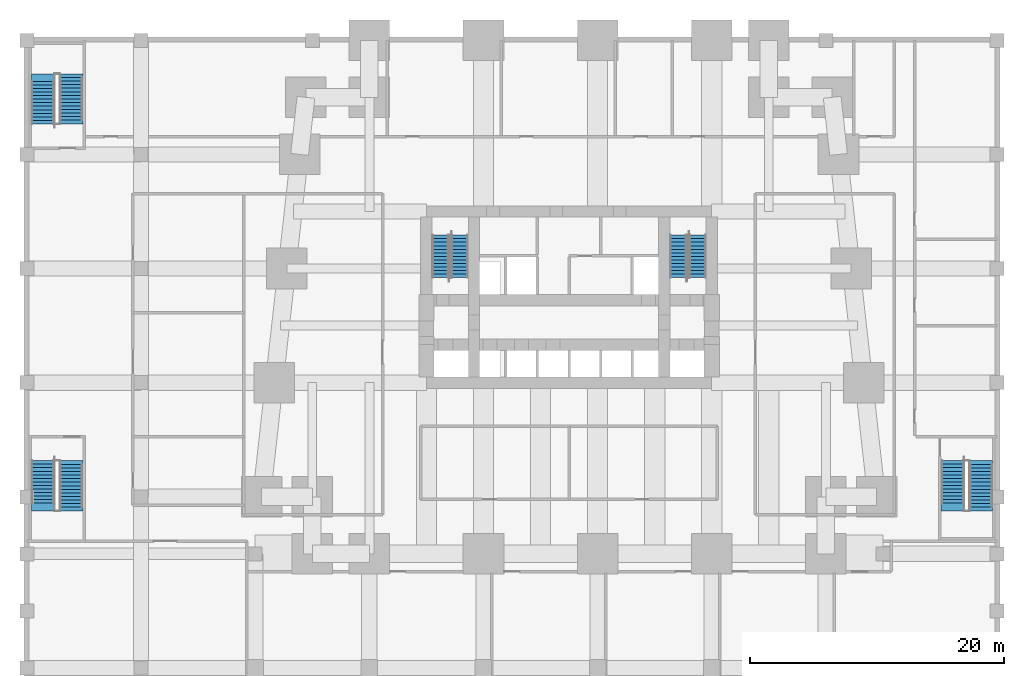
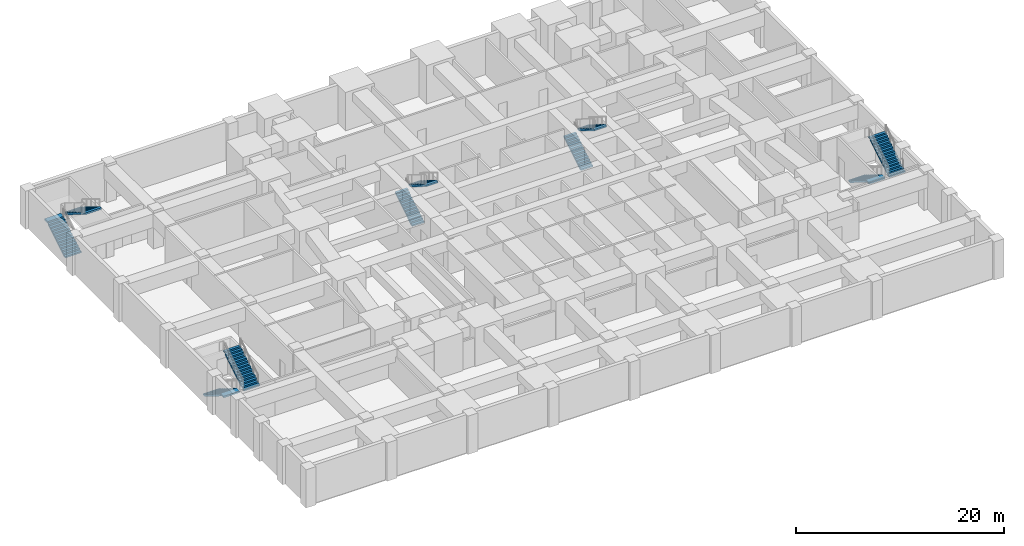
# One storey, part 6 of 8: 10 stair flights, 5 elements without a shape of their own.
"""IFC4 building model written with IfcOpenShell, lengths in metres."""

from ifc_helpers import new_model, si_unit, direction, frame, origin, place, context, subcontext, project, spatial, polyline, outline, extrude, material, type_object, element, aggregate, save


model = new_model("IFC4")

# Units and contexts
model_context = context("Model", 3, precision=1e-05, world=origin(), true_north=direction((0.0, 1.0)))
body_context = subcontext(model_context, "Body", "Model", "MODEL_VIEW")
ifc_project = project(units=[si_unit("LENGTHUNIT", "METRE"), si_unit("AREAUNIT", "SQUARE_METRE"), si_unit("VOLUMEUNIT", "CUBIC_METRE"), si_unit("PLANEANGLEUNIT", "RADIAN"), si_unit("MASSUNIT", "GRAM", prefix="KILO")], contexts=[model_context])

# Site, building, storey
site_placement = place(None, origin())
site = spatial("IfcSite", under=ifc_project, at=site_placement, CompositionType="ELEMENT")
building_placement = place(site_placement, origin())
building = spatial("IfcBuilding", under=site, at=building_placement, Name="Kilele Tower Hotel", CompositionType="ELEMENT")
storey_placement = place(building_placement, frame((0.0, 0.0, -4.5)))
storey = spatial("IfcBuildingStorey", under=building, at=storey_placement, Name="B1", CompositionType="ELEMENT", Elevation=-4.5)

# Stair, stair flights
ifc_material_1 = material(Name="Precast concrete C40/50", Category="concrete")
stair_type_1 = type_object("IfcStairType", Name="Stair 1325 x 4500", PredefinedType="HALF_TURN_STAIR", material=ifc_material_1)
stair_1_placement = place(storey_placement, origin())
stair_1 = element("IfcStair", 1, at=stair_1_placement, inside=storey, type_object=stair_type_1, Name="Stair 1 B1", PredefinedType="HALF_TURN_STAIR")
ifc_material_2 = material(Name="Precast concrete C40/50", Category="concrete")
stair_flight_type_1 = type_object("IfcStairFlightType", Name="Flight 1325 riser 173.1", PredefinedType="STRAIGHT", material=ifc_material_2)
stair_flight_1_placement = place(storey_placement, frame((14.612548828125, 21.77490234375, 0.0), z_axis=(0.0, 0.0, 1.0), x_axis=(0.0, 1.0, 0.0)))
stair_flight_1 = element("IfcStairFlight", 2, at=stair_flight_1_placement, type_object=stair_flight_type_1, Name="ST1 flight 1", NumberOfRisers=13, NumberOfTreads=12, PredefinedType="STRAIGHT", RiserHeight=0.173076923, TreadLength=0.28, context=body_context, shape_type="SweptSolid", body=[
    extrude(outline(polyline([(0.0, 0.0), (0.0, 0.173095703125), (0.280029296875, 0.173095703125), (0.280029296875, 0.34619140625), (0.56005859375, 0.34619140625), (0.56005859375, 0.519287109375), (0.840087890625, 0.519287109375), (0.840087890625, 0.6923828125), (1.1201171875, 0.6923828125), (1.1201171875, 0.865478515625), (1.39990234375, 0.865478515625), (1.39990234375, 1.03857421875), (1.679931640625, 1.03857421875), (1.679931640625, 1.21142578125), (1.9599609375, 1.21142578125), (1.9599609375, 1.384521484375), (2.239990234375, 1.384521484375), (2.239990234375, 1.5576171875), (2.52001953125, 1.5576171875), (2.52001953125, 1.730712890625), (2.800048828125, 1.730712890625), (2.800048828125, 1.90380859375), (3.080078125, 1.90380859375), (3.080078125, 2.076904296875), (3.360107421875, 2.076904296875), (3.360107421875, 2.25), (3.360107421875, 1.900634765625), (0.28515625, 0.0), (0.0, 0.0)])), frame((0.0, 0.66259765625, 0.0), z_axis=(0.0, -1.0, 0.0), x_axis=(1.0, 0.0, 0.0)), (0.0, 0.0, 1.0), 1.324951171875),
])
stair_flight_2_placement = place(storey_placement, frame((16.137451171875, 25.135009765625, 2.25), z_axis=(0.0, 0.0, 1.0), x_axis=(0.0, -1.0, 0.0)))
stair_flight_2 = element("IfcStairFlight", 3, at=stair_flight_2_placement, type_object=stair_flight_type_1, Name="ST1 flight 2", NumberOfRisers=13, NumberOfTreads=12, PredefinedType="STRAIGHT", RiserHeight=0.173076923, TreadLength=0.28, context=body_context, shape_type="SweptSolid", body=[
    extrude(outline(polyline([(0.0, 0.0), (0.0, 0.173095703125), (0.280029296875, 0.173095703125), (0.280029296875, 0.34619140625), (0.56005859375, 0.34619140625), (0.56005859375, 0.519287109375), (0.840087890625, 0.519287109375), (0.840087890625, 0.6923828125), (1.1201171875, 0.6923828125), (1.1201171875, 0.865478515625), (1.39990234375, 0.865478515625), (1.39990234375, 1.03857421875), (1.679931640625, 1.03857421875), (1.679931640625, 1.21142578125), (1.9599609375, 1.21142578125), (1.9599609375, 1.384521484375), (2.239990234375, 1.384521484375), (2.239990234375, 1.5576171875), (2.52001953125, 1.5576171875), (2.52001953125, 1.730712890625), (2.800048828125, 1.730712890625), (2.800048828125, 1.90380859375), (3.080078125, 1.90380859375), (3.080078125, 2.076904296875), (3.360107421875, 2.076904296875), (3.360107421875, 2.25), (3.360107421875, 1.900634765625), (0.28515625, 0.0), (0.0, 0.0)])), frame((0.0, 0.66259765625, 0.0), z_axis=(0.0, -1.0, 0.0), x_axis=(1.0, 0.0, 0.0)), (0.0, 0.0, 1.0), 1.324951171875),
])
aggregate(stair_1, [stair_flight_1, stair_flight_2])

stair_2_placement = place(storey_placement, origin())
stair_2 = element("IfcStair", 4, at=stair_2_placement, inside=storey, type_object=stair_type_1, Name="Stair 2 B1", PredefinedType="HALF_TURN_STAIR")
stair_flight_3_placement = place(storey_placement, frame((33.362548828125, 21.77490234375, 0.0), z_axis=(0.0, 0.0, 1.0), x_axis=(0.0, 1.0, 0.0)))
stair_flight_3 = element("IfcStairFlight", 5, at=stair_flight_3_placement, type_object=stair_flight_type_1, Name="ST2 flight 1", NumberOfRisers=13, NumberOfTreads=12, PredefinedType="STRAIGHT", RiserHeight=0.173076923, TreadLength=0.28, context=body_context, shape_type="SweptSolid", body=[
    extrude(outline(polyline([(0.0, 0.0), (0.0, 0.173095703125), (0.280029296875, 0.173095703125), (0.280029296875, 0.34619140625), (0.56005859375, 0.34619140625), (0.56005859375, 0.519287109375), (0.840087890625, 0.519287109375), (0.840087890625, 0.6923828125), (1.1201171875, 0.6923828125), (1.1201171875, 0.865478515625), (1.39990234375, 0.865478515625), (1.39990234375, 1.03857421875), (1.679931640625, 1.03857421875), (1.679931640625, 1.21142578125), (1.9599609375, 1.21142578125), (1.9599609375, 1.384521484375), (2.239990234375, 1.384521484375), (2.239990234375, 1.5576171875), (2.52001953125, 1.5576171875), (2.52001953125, 1.730712890625), (2.800048828125, 1.730712890625), (2.800048828125, 1.90380859375), (3.080078125, 1.90380859375), (3.080078125, 2.076904296875), (3.360107421875, 2.076904296875), (3.360107421875, 2.25), (3.360107421875, 1.900634765625), (0.28515625, 0.0), (0.0, 0.0)])), frame((0.0, 0.66259765625, 0.0), z_axis=(0.0, -1.0, 0.0), x_axis=(1.0, 0.0, 0.0)), (0.0, 0.0, 1.0), 1.324951171875),
])
stair_flight_4_placement = place(storey_placement, frame((34.887451171875, 25.135009765625, 2.25), z_axis=(0.0, 0.0, 1.0), x_axis=(0.0, -1.0, 0.0)))
stair_flight_4 = element("IfcStairFlight", 6, at=stair_flight_4_placement, type_object=stair_flight_type_1, Name="ST2 flight 2", NumberOfRisers=13, NumberOfTreads=12, PredefinedType="STRAIGHT", RiserHeight=0.173076923, TreadLength=0.28, context=body_context, shape_type="SweptSolid", body=[
    extrude(outline(polyline([(0.0, 0.0), (0.0, 0.173095703125), (0.280029296875, 0.173095703125), (0.280029296875, 0.34619140625), (0.56005859375, 0.34619140625), (0.56005859375, 0.519287109375), (0.840087890625, 0.519287109375), (0.840087890625, 0.6923828125), (1.1201171875, 0.6923828125), (1.1201171875, 0.865478515625), (1.39990234375, 0.865478515625), (1.39990234375, 1.03857421875), (1.679931640625, 1.03857421875), (1.679931640625, 1.21142578125), (1.9599609375, 1.21142578125), (1.9599609375, 1.384521484375), (2.239990234375, 1.384521484375), (2.239990234375, 1.5576171875), (2.52001953125, 1.5576171875), (2.52001953125, 1.730712890625), (2.800048828125, 1.730712890625), (2.800048828125, 1.90380859375), (3.080078125, 1.90380859375), (3.080078125, 2.076904296875), (3.360107421875, 2.076904296875), (3.360107421875, 2.25), (3.360107421875, 1.900634765625), (0.28515625, 0.0), (0.0, 0.0)])), frame((0.0, 0.66259765625, 0.0), z_axis=(0.0, -1.0, 0.0), x_axis=(1.0, 0.0, 0.0)), (0.0, 0.0, 1.0), 1.324951171875),
])
aggregate(stair_2, [stair_flight_3, stair_flight_4])

ifc_material_3 = material(Name="Precast concrete C40/50", Category="concrete")
stair_type_2 = type_object("IfcStairType", Name="Stair 1800 x 4500", PredefinedType="HALF_TURN_STAIR", material=ifc_material_3)
stair_3_placement = place(storey_placement, origin())
stair_3 = element("IfcStair", 7, at=stair_3_placement, inside=storey, type_object=stair_type_2, Name="Stair 3 B1", PredefinedType="HALF_TURN_STAIR")
ifc_material_4 = material(Name="Precast concrete C40/50", Category="concrete")
stair_flight_type_2 = type_object("IfcStairFlightType", Name="Flight 1800 riser 173.1", PredefinedType="STRAIGHT", material=ifc_material_4)
stair_flight_5_placement = place(storey_placement, frame((-16.75, 33.89990234375, 0.0), z_axis=(0.0, 0.0, 1.0), x_axis=(0.0, 1.0, 0.0)))
stair_flight_5 = element("IfcStairFlight", 8, at=stair_flight_5_placement, type_object=stair_flight_type_2, Name="ST3 flight 1", NumberOfRisers=13, NumberOfTreads=12, PredefinedType="STRAIGHT", RiserHeight=0.173076923, TreadLength=0.28, context=body_context, shape_type="SweptSolid", body=[
    extrude(outline(polyline([(0.0, 0.0), (0.0, 0.173095703125), (0.280029296875, 0.173095703125), (0.280029296875, 0.34619140625), (0.56005859375, 0.34619140625), (0.56005859375, 0.519287109375), (0.840087890625, 0.519287109375), (0.840087890625, 0.6923828125), (1.1201171875, 0.6923828125), (1.1201171875, 0.865478515625), (1.39990234375, 0.865478515625), (1.39990234375, 1.03857421875), (1.679931640625, 1.03857421875), (1.679931640625, 1.21142578125), (1.9599609375, 1.21142578125), (1.9599609375, 1.384521484375), (2.239990234375, 1.384521484375), (2.239990234375, 1.5576171875), (2.52001953125, 1.5576171875), (2.52001953125, 1.730712890625), (2.800048828125, 1.730712890625), (2.800048828125, 1.90380859375), (3.080078125, 1.90380859375), (3.080078125, 2.076904296875), (3.360107421875, 2.076904296875), (3.360107421875, 2.25), (3.360107421875, 1.900634765625), (0.28515625, 0.0), (0.0, 0.0)])), frame((0.0, 0.89990234375, 0.0), z_axis=(0.0, -1.0, 0.0), x_axis=(1.0, 0.0, 0.0)), (0.0, 0.0, 1.0), 1.800048828125),
    extrude(outline(polyline([(3.360107421875, 0.89990234375), (3.360107421875, -0.89990234375), (3.960205078125, -0.89990234375), (3.960205078125, 0.89990234375), (3.360107421875, 0.89990234375)])), frame((0.0, 0.0, 2.050048828125)), (0.0, 0.0, 1.0), 0.199951171875),
])
stair_flight_6_placement = place(storey_placement, frame((-14.5, 37.56005859375, 2.25), z_axis=(0.0, 0.0, 1.0), x_axis=(0.0, -1.0, 0.0)))
stair_flight_6 = element("IfcStairFlight", 9, at=stair_flight_6_placement, type_object=stair_flight_type_2, Name="ST3 flight 2", NumberOfRisers=13, NumberOfTreads=12, PredefinedType="STRAIGHT", RiserHeight=0.173076923, TreadLength=0.28, context=body_context, shape_type="SweptSolid", body=[
    extrude(outline(polyline([(0.0, 0.0), (0.0, 0.173095703125), (0.280029296875, 0.173095703125), (0.280029296875, 0.34619140625), (0.56005859375, 0.34619140625), (0.56005859375, 0.519287109375), (0.840087890625, 0.519287109375), (0.840087890625, 0.6923828125), (1.1201171875, 0.6923828125), (1.1201171875, 0.865478515625), (1.39990234375, 0.865478515625), (1.39990234375, 1.03857421875), (1.679931640625, 1.03857421875), (1.679931640625, 1.21142578125), (1.9599609375, 1.21142578125), (1.9599609375, 1.384521484375), (2.239990234375, 1.384521484375), (2.239990234375, 1.5576171875), (2.52001953125, 1.5576171875), (2.52001953125, 1.730712890625), (2.800048828125, 1.730712890625), (2.800048828125, 1.90380859375), (3.080078125, 1.90380859375), (3.080078125, 2.076904296875), (3.360107421875, 2.076904296875), (3.360107421875, 2.25), (3.360107421875, 1.900634765625), (0.28515625, 0.0), (0.0, 0.0)])), frame((0.0, 0.89990234375, 0.0), z_axis=(0.0, -1.0, 0.0), x_axis=(1.0, 0.0, 0.0)), (0.0, 0.0, 1.0), 1.800048828125),
    extrude(outline(polyline([(0.0, -0.89990234375), (0.0, 0.89990234375), (-0.300048828125, 0.89990234375), (-0.300048828125, -0.89990234375), (0.0, -0.89990234375)])), frame((0.0, 0.0, -0.199951171875)), (0.0, 0.0, 1.0), 0.199951171875),
    extrude(outline(polyline([(3.66015625, -0.89990234375), (3.66015625, 0.89990234375), (3.360107421875, 0.89990234375), (3.360107421875, -0.89990234375), (3.66015625, -0.89990234375)])), frame((0.0, 0.0, 2.050048828125)), (0.0, 0.0, 1.0), 0.199951171875),
])
aggregate(stair_3, [stair_flight_5, stair_flight_6])

stair_4_placement = place(storey_placement, origin())
stair_4 = element("IfcStair", 10, at=stair_4_placement, inside=storey, type_object=stair_type_2, Name="Stair 4 B1", PredefinedType="HALF_TURN_STAIR")
stair_flight_7_placement = place(storey_placement, frame((-16.75, 7.35009765625, 0.0), z_axis=(0.0, 0.0, 1.0), x_axis=(0.0, -1.0, 0.0)))
stair_flight_7 = element("IfcStairFlight", 11, at=stair_flight_7_placement, type_object=stair_flight_type_2, Name="ST4 flight 1", NumberOfRisers=13, NumberOfTreads=12, PredefinedType="STRAIGHT", RiserHeight=0.173076923, TreadLength=0.28, context=body_context, shape_type="SweptSolid", body=[
    extrude(outline(polyline([(0.0, 0.0), (0.0, 0.173095703125), (0.280029296875, 0.173095703125), (0.280029296875, 0.34619140625), (0.56005859375, 0.34619140625), (0.56005859375, 0.519287109375), (0.840087890625, 0.519287109375), (0.840087890625, 0.6923828125), (1.1201171875, 0.6923828125), (1.1201171875, 0.865478515625), (1.39990234375, 0.865478515625), (1.39990234375, 1.03857421875), (1.679931640625, 1.03857421875), (1.679931640625, 1.21142578125), (1.9599609375, 1.21142578125), (1.9599609375, 1.384521484375), (2.239990234375, 1.384521484375), (2.239990234375, 1.5576171875), (2.52001953125, 1.5576171875), (2.52001953125, 1.730712890625), (2.800048828125, 1.730712890625), (2.800048828125, 1.90380859375), (3.080078125, 1.90380859375), (3.080078125, 2.076904296875), (3.360107421875, 2.076904296875), (3.360107421875, 2.25), (3.360107421875, 1.900634765625), (0.28515625, 0.0), (0.0, 0.0)])), frame((0.0, 0.89990234375, 0.0), z_axis=(0.0, -1.0, 0.0), x_axis=(1.0, 0.0, 0.0)), (0.0, 0.0, 1.0), 1.800048828125),
    extrude(outline(polyline([(3.960205078125, -0.89990234375), (3.960205078125, 0.89990234375), (3.360107421875, 0.89990234375), (3.360107421875, -0.89990234375), (3.960205078125, -0.89990234375)])), frame((0.0, 0.0, 2.050048828125)), (0.0, 0.0, 1.0), 0.199951171875),
])
stair_flight_8_placement = place(storey_placement, frame((-14.5, 3.68994140625, 2.25), z_axis=(0.0, 0.0, 1.0), x_axis=(0.0, 1.0, 0.0)))
stair_flight_8 = element("IfcStairFlight", 12, at=stair_flight_8_placement, type_object=stair_flight_type_2, Name="ST4 flight 2", NumberOfRisers=13, NumberOfTreads=12, PredefinedType="STRAIGHT", RiserHeight=0.173076923, TreadLength=0.28, context=body_context, shape_type="SweptSolid", body=[
    extrude(outline(polyline([(0.0, 0.0), (0.0, 0.173095703125), (0.280029296875, 0.173095703125), (0.280029296875, 0.34619140625), (0.56005859375, 0.34619140625), (0.56005859375, 0.519287109375), (0.840087890625, 0.519287109375), (0.840087890625, 0.6923828125), (1.1201171875, 0.6923828125), (1.1201171875, 0.865478515625), (1.39990234375, 0.865478515625), (1.39990234375, 1.03857421875), (1.679931640625, 1.03857421875), (1.679931640625, 1.21142578125), (1.9599609375, 1.21142578125), (1.9599609375, 1.384521484375), (2.239990234375, 1.384521484375), (2.239990234375, 1.5576171875), (2.52001953125, 1.5576171875), (2.52001953125, 1.730712890625), (2.800048828125, 1.730712890625), (2.800048828125, 1.90380859375), (3.080078125, 1.90380859375), (3.080078125, 2.076904296875), (3.360107421875, 2.076904296875), (3.360107421875, 2.25), (3.360107421875, 1.900634765625), (0.28515625, 0.0), (0.0, 0.0)])), frame((0.0, 0.89990234375, 0.0), z_axis=(0.0, -1.0, 0.0), x_axis=(1.0, 0.0, 0.0)), (0.0, 0.0, 1.0), 1.800048828125),
    extrude(outline(polyline([(-0.300048828125, 0.89990234375), (-0.300048828125, -0.89990234375), (0.0, -0.89990234375), (0.0, 0.89990234375), (-0.300048828125, 0.89990234375)])), frame((0.0, 0.0, -0.199951171875)), (0.0, 0.0, 1.0), 0.199951171875),
    extrude(outline(polyline([(3.360107421875, 0.89990234375), (3.360107421875, -0.89990234375), (3.66015625, -0.89990234375), (3.66015625, 0.89990234375), (3.360107421875, 0.89990234375)])), frame((0.0, 0.0, 2.050048828125)), (0.0, 0.0, 1.0), 0.199951171875),
])
aggregate(stair_4, [stair_flight_7, stair_flight_8])

stair_5_placement = place(storey_placement, origin())
stair_5 = element("IfcStair", 13, at=stair_5_placement, inside=storey, type_object=stair_type_2, Name="Stair 5 B1", PredefinedType="HALF_TURN_STAIR")
stair_flight_9_placement = place(storey_placement, frame((55.0, 7.35009765625, 0.0), z_axis=(0.0, 0.0, 1.0), x_axis=(0.0, -1.0, 0.0)))
stair_flight_9 = element("IfcStairFlight", 14, at=stair_flight_9_placement, type_object=stair_flight_type_2, Name="ST5 flight 1", NumberOfRisers=13, NumberOfTreads=12, PredefinedType="STRAIGHT", RiserHeight=0.173076923, TreadLength=0.28, context=body_context, shape_type="SweptSolid", body=[
    extrude(outline(polyline([(0.0, 0.0), (0.0, 0.173095703125), (0.280029296875, 0.173095703125), (0.280029296875, 0.34619140625), (0.56005859375, 0.34619140625), (0.56005859375, 0.519287109375), (0.840087890625, 0.519287109375), (0.840087890625, 0.6923828125), (1.1201171875, 0.6923828125), (1.1201171875, 0.865478515625), (1.39990234375, 0.865478515625), (1.39990234375, 1.03857421875), (1.679931640625, 1.03857421875), (1.679931640625, 1.21142578125), (1.9599609375, 1.21142578125), (1.9599609375, 1.384521484375), (2.239990234375, 1.384521484375), (2.239990234375, 1.5576171875), (2.52001953125, 1.5576171875), (2.52001953125, 1.730712890625), (2.800048828125, 1.730712890625), (2.800048828125, 1.90380859375), (3.080078125, 1.90380859375), (3.080078125, 2.076904296875), (3.360107421875, 2.076904296875), (3.360107421875, 2.25), (3.360107421875, 1.900634765625), (0.28515625, 0.0), (0.0, 0.0)])), frame((0.0, 0.89990234375, 0.0), z_axis=(0.0, -1.0, 0.0), x_axis=(1.0, 0.0, 0.0)), (0.0, 0.0, 1.0), 1.800048828125),
    extrude(outline(polyline([(3.960205078125, -0.89990234375), (3.960205078125, 0.89990234375), (3.360107421875, 0.89990234375), (3.360107421875, -0.89990234375), (3.960205078125, -0.89990234375)])), frame((0.0, 0.0, 2.050048828125)), (0.0, 0.0, 1.0), 0.199951171875),
])
stair_flight_10_placement = place(storey_placement, frame((57.25, 3.68994140625, 2.25), z_axis=(0.0, 0.0, 1.0), x_axis=(0.0, 1.0, 0.0)))
stair_flight_10 = element("IfcStairFlight", 15, at=stair_flight_10_placement, type_object=stair_flight_type_2, Name="ST5 flight 2", NumberOfRisers=13, NumberOfTreads=12, PredefinedType="STRAIGHT", RiserHeight=0.173076923, TreadLength=0.28, context=body_context, shape_type="SweptSolid", body=[
    extrude(outline(polyline([(0.0, 0.0), (0.0, 0.173095703125), (0.280029296875, 0.173095703125), (0.280029296875, 0.34619140625), (0.56005859375, 0.34619140625), (0.56005859375, 0.519287109375), (0.840087890625, 0.519287109375), (0.840087890625, 0.6923828125), (1.1201171875, 0.6923828125), (1.1201171875, 0.865478515625), (1.39990234375, 0.865478515625), (1.39990234375, 1.03857421875), (1.679931640625, 1.03857421875), (1.679931640625, 1.21142578125), (1.9599609375, 1.21142578125), (1.9599609375, 1.384521484375), (2.239990234375, 1.384521484375), (2.239990234375, 1.5576171875), (2.52001953125, 1.5576171875), (2.52001953125, 1.730712890625), (2.800048828125, 1.730712890625), (2.800048828125, 1.90380859375), (3.080078125, 1.90380859375), (3.080078125, 2.076904296875), (3.360107421875, 2.076904296875), (3.360107421875, 2.25), (3.360107421875, 1.900634765625), (0.28515625, 0.0), (0.0, 0.0)])), frame((0.0, 0.89990234375, 0.0), z_axis=(0.0, -1.0, 0.0), x_axis=(1.0, 0.0, 0.0)), (0.0, 0.0, 1.0), 1.800048828125),
    extrude(outline(polyline([(-0.300048828125, 0.89990234375), (-0.300048828125, -0.89990234375), (0.0, -0.89990234375), (0.0, 0.89990234375), (-0.300048828125, 0.89990234375)])), frame((0.0, 0.0, -0.199951171875)), (0.0, 0.0, 1.0), 0.199951171875),
    extrude(outline(polyline([(3.360107421875, 0.89990234375), (3.360107421875, -0.89990234375), (3.66015625, -0.89990234375), (3.66015625, 0.89990234375), (3.360107421875, 0.89990234375)])), frame((0.0, 0.0, 2.050048828125)), (0.0, 0.0, 1.0), 0.199951171875),
])
aggregate(stair_5, [stair_flight_9, stair_flight_10])

save(model, "model.ifc")
